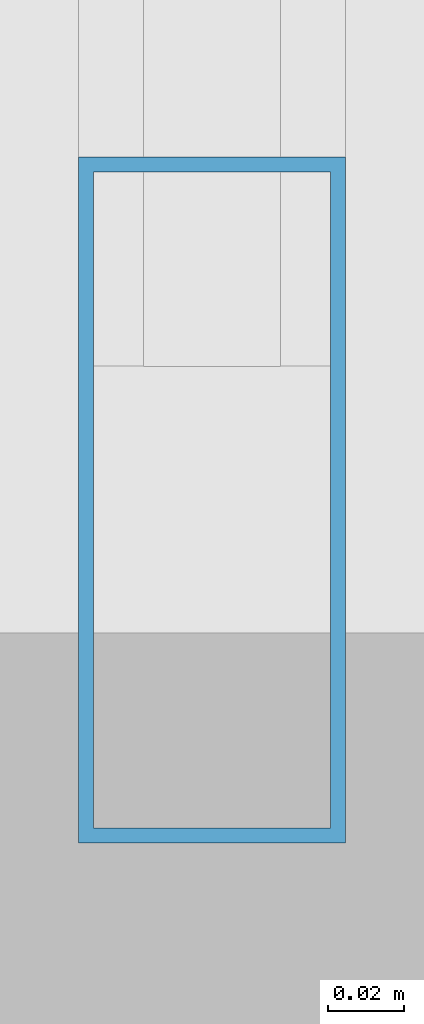
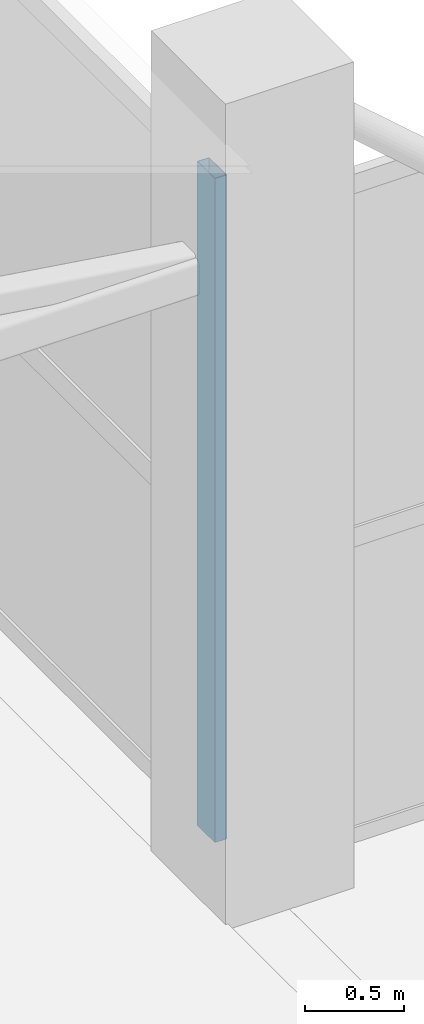
# One storey, part 10 of 67: 1 member, 1 element without a shape of its own.
"""IFC4 building model written with IfcOpenShell, lengths in metres."""

from ifc_helpers import new_model, si_unit, direction, frame, origin, origin_2d, place, context, subcontext, project, spatial, hollow_rectangle, extrude, material, layer, layer_set, material_profile, profile_set, type_object, element, aggregate, save


model = new_model("IFC4")

# Units and contexts
model_context = context("Model", 3, precision=1e-05, world=origin(), true_north=direction((0.0, 1.0)))
body_context = subcontext(model_context, "Body", "Model", "MODEL_VIEW")
ifc_project = project(units=[si_unit("LENGTHUNIT", "METRE"), si_unit("AREAUNIT", "SQUARE_METRE"), si_unit("VOLUMEUNIT", "CUBIC_METRE"), si_unit("PLANEANGLEUNIT", "RADIAN"), si_unit("MASSUNIT", "GRAM", prefix="KILO")], contexts=[model_context])

# Site, building, storey
site_placement = place(None, origin())
site = spatial("IfcSite", under=ifc_project, at=site_placement, CompositionType="ELEMENT")
building_placement = place(site_placement, origin())
building = spatial("IfcBuilding", under=site, at=building_placement, Name="Sillaruma Civic Art Gallery", CompositionType="ELEMENT")
storey_placement = place(building_placement, frame((0.0, 0.0, 46.919921875)))
storey = spatial("IfcBuildingStorey", under=building, at=storey_placement, Name="L09", CompositionType="ELEMENT", Elevation=46.919921875)

# Curtain wall, member
ifc_material = material(Name="Thermally Broken Extruded Aluminium 6063-T6", Category="aluminium")
ifc_layer = layer(ifc_material, 0.179931640625, Name="Thermally Broken Extruded Aluminium 6063-T6")
ifc_layer_set = layer_set([ifc_layer], Name="Thermally Broken Extruded Aluminium 6063-T6")
curtain_wall_type = type_object("IfcCurtainWallType", Name="CW-UNI-63", PredefinedType="NOTDEFINED", material=ifc_layer_set)
curtain_wall_placement = place(storey_placement, origin())
curtain_wall = element("IfcCurtainWall", 1, at=curtain_wall_placement, inside=storey, type_object=curtain_wall_type, Name="Unitised Curtain Wall CW-63 (CW-L09-WBE-4)", PredefinedType="NOTDEFINED")
ifc_material_profile = material_profile(ifc_material, hollow_rectangle(XDim=0.070068359375, YDim=0.179931640625, WallThickness=0.00390625, at=origin_2d()), Name="CWM70x180")
ifc_profile_set = profile_set([ifc_material_profile], Name="Thermally Broken Extruded Aluminium 6063-T6")
member_type = type_object("IfcMemberType", Name="MEM-MUL-CWM70x180", PredefinedType="MULLION", material=ifc_profile_set)
member_placement = place(storey_placement, frame((92.0, 49.909912109375, 0.0), z_axis=(0.0, 0.0, 1.0), x_axis=(-1.0, 0.0, 0.0)))
member = element("IfcMember", 2, at=member_placement, type_object=member_type, Name="CW-63 mullion 1", PredefinedType="MULLION", context=body_context, shape_type="SweptSolid", body=[
    extrude(hollow_rectangle(XDim=0.070068359375, YDim=0.179931640625, WallThickness=0.00390625, at=origin_2d()), origin(), (0.0, 0.0, 1.0), 4.10009765625),
])
aggregate(curtain_wall, [member])

save(model, "model.ifc")
